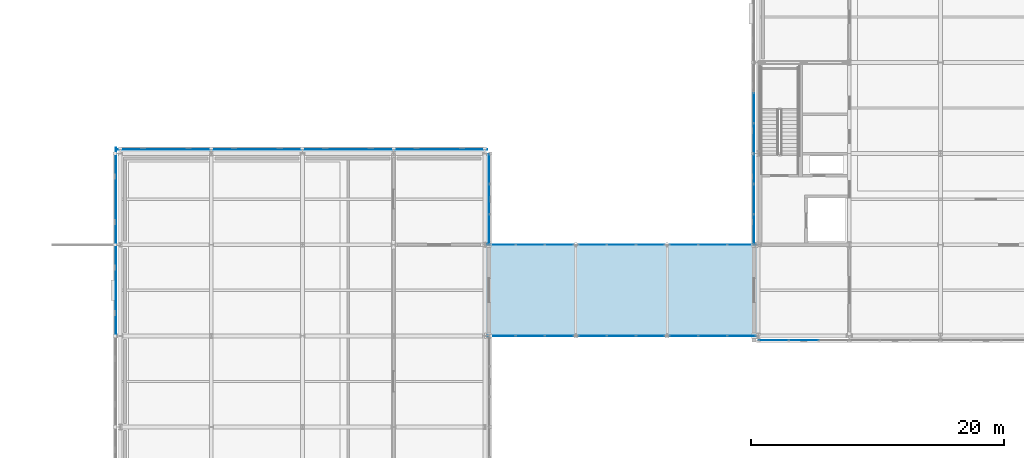
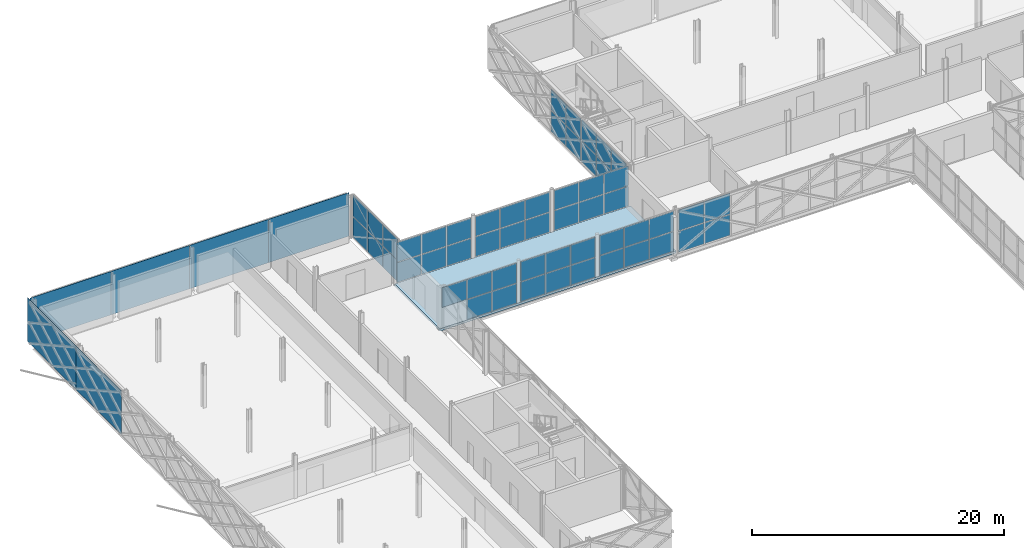
# One storey, part 92 of 146: 61 plates, 1 slab, 10 elements without a shape of their own.
"""IFC4 building model written with IfcOpenShell, lengths in metres."""

from ifc_helpers import new_model, si_unit, direction, frame, origin, origin_2d, place, context, subcontext, project, spatial, polyline, rectangle, outline, extrude, material, layer, layer_set, type_object, element, aggregate, save


model = new_model("IFC4")

# Units and contexts
model_context = context("Model", 3, precision=1e-05, world=origin(), true_north=direction((0.0, 1.0)))
body_context = subcontext(model_context, "Body", "Model", "MODEL_VIEW")
ifc_project = project(units=[si_unit("LENGTHUNIT", "METRE"), si_unit("AREAUNIT", "SQUARE_METRE"), si_unit("VOLUMEUNIT", "CUBIC_METRE"), si_unit("PLANEANGLEUNIT", "RADIAN"), si_unit("MASSUNIT", "GRAM", prefix="KILO")], contexts=[model_context])

# Site, building, storey
site_placement = place(None, origin())
site = spatial("IfcSite", under=ifc_project, at=site_placement, CompositionType="ELEMENT")
building_placement = place(site_placement, origin())
building = spatial("IfcBuilding", under=site, at=building_placement, Name="Zlatovets Crest Museum", CompositionType="ELEMENT")
storey_placement = place(building_placement, frame((0.0, 0.0, 4.5)))
storey = spatial("IfcBuildingStorey", under=building, at=storey_placement, Name="L01", CompositionType="ELEMENT", Elevation=4.5)

# Curtain wall, plates
ifc_material_1 = material(Name="Bronze-anodised aluminium and low-E triple glass", Category="aluminium")
curtain_wall_type_1 = type_object("IfcCurtainWallType", Name="CW_CW-BR3-L01-S69", PredefinedType="NOTDEFINED", material=ifc_material_1)
curtain_wall_1_placement = place(storey_placement, origin())
curtain_wall_1 = element("IfcCurtainWall", 1, at=curtain_wall_1_placement, inside=storey, type_object=curtain_wall_type_1, Name="Northwest Crest Glazed Link Bridge L01 Glazed Bridge Curtain Wall", PredefinedType="NOTDEFINED")
ifc_material_2 = material(Name="Solar-control low-E laminated triple glass", Category="glass")
ifc_layer_1 = layer(ifc_material_2, 0.030029296875)
ifc_layer_set_1 = layer_set([ifc_layer_1], Name="Solar-control low-E laminated triple glass")
plate_type_1 = type_object("IfcPlateType", Name="CWPanel_CW-BR3-L01-S69", PredefinedType="CURTAIN_PANEL", material=ifc_layer_set_1)
plate_1_placement = place(storey_placement, frame((37.31494140625, 86.39990234375, 2.02001953125), z_axis=(0.0, 0.0, 1.0), x_axis=(1.0, 0.0, 0.0)))
plate_1 = element("IfcPlate", 2, at=plate_1_placement, type_object=plate_type_1, Name="CW-BR3-L01-S69 panel 1.2", PredefinedType="CURTAIN_PANEL", context=body_context, shape_type="SweptSolid", body=[
    extrude(rectangle(XDim=2.2099609375, YDim=0.030029296875, at=origin_2d()), origin(), (0.0, 0.0, 1.0), 1.89990234375),
])
plate_2_placement = place(storey_placement, frame((39.60009765625, 86.39990234375, 0.06005859375), z_axis=(0.0, 0.0, 1.0), x_axis=(1.0, 0.0, 0.0)))
plate_2 = element("IfcPlate", 3, at=plate_2_placement, type_object=plate_type_1, Name="CW-BR3-L01-S69 panel 2.1", PredefinedType="CURTAIN_PANEL", context=body_context, shape_type="SweptSolid", body=[
    extrude(rectangle(XDim=2.239990234375, YDim=0.030029296875, at=origin_2d()), origin(), (0.0, 0.0, 1.0), 1.89990234375),
])
plate_3_placement = place(storey_placement, frame((39.60009765625, 86.39990234375, 2.02001953125), z_axis=(0.0, 0.0, 1.0), x_axis=(1.0, 0.0, 0.0)))
plate_3 = element("IfcPlate", 4, at=plate_3_placement, type_object=plate_type_1, Name="CW-BR3-L01-S69 panel 2.2", PredefinedType="CURTAIN_PANEL", context=body_context, shape_type="SweptSolid", body=[
    extrude(rectangle(XDim=2.239990234375, YDim=0.030029296875, at=origin_2d()), origin(), (0.0, 0.0, 1.0), 1.89990234375),
])
plate_4_placement = place(storey_placement, frame((41.885009765625, 86.39990234375, 0.06005859375), z_axis=(0.0, 0.0, 1.0), x_axis=(1.0, 0.0, 0.0)))
plate_4 = element("IfcPlate", 5, at=plate_4_placement, type_object=plate_type_1, Name="CW-BR3-L01-S69 panel 3.1", PredefinedType="CURTAIN_PANEL", context=body_context, shape_type="SweptSolid", body=[
    extrude(rectangle(XDim=2.2099609375, YDim=0.030029296875, at=origin_2d()), origin(), (0.0, 0.0, 1.0), 1.89990234375),
])
plate_5_placement = place(storey_placement, frame((41.885009765625, 86.39990234375, 2.02001953125), z_axis=(0.0, 0.0, 1.0), x_axis=(1.0, 0.0, 0.0)))
plate_5 = element("IfcPlate", 6, at=plate_5_placement, type_object=plate_type_1, Name="CW-BR3-L01-S69 panel 3.2", PredefinedType="CURTAIN_PANEL", context=body_context, shape_type="SweptSolid", body=[
    extrude(rectangle(XDim=2.2099609375, YDim=0.030029296875, at=origin_2d()), origin(), (0.0, 0.0, 1.0), 1.89990234375),
])
aggregate(curtain_wall_1, [plate_1, plate_2, plate_3, plate_4, plate_5])

curtain_wall_2_placement = place(storey_placement, origin())
curtain_wall_2 = element("IfcCurtainWall", 7, at=curtain_wall_2_placement, inside=storey, type_object=curtain_wall_type_1, Name="Northwest Crest Glazed Link Bridge L01 Glazed Bridge Curtain Wall", PredefinedType="NOTDEFINED")
plate_6_placement = place(storey_placement, frame((44.514892578125, 86.39990234375, 0.06005859375), z_axis=(0.0, 0.0, 1.0), x_axis=(1.0, 0.0, 0.0)))
plate_6 = element("IfcPlate", 8, at=plate_6_placement, type_object=plate_type_1, Name="CW-BR3-L01-S69 panel 1.1", PredefinedType="CURTAIN_PANEL", context=body_context, shape_type="SweptSolid", body=[
    extrude(rectangle(XDim=2.2099609375, YDim=0.030029296875, at=origin_2d()), origin(), (0.0, 0.0, 1.0), 1.89990234375),
])
plate_7_placement = place(storey_placement, frame((44.514892578125, 86.39990234375, 2.02001953125), z_axis=(0.0, 0.0, 1.0), x_axis=(1.0, 0.0, 0.0)))
plate_7 = element("IfcPlate", 9, at=plate_7_placement, type_object=plate_type_1, Name="CW-BR3-L01-S69 panel 1.2", PredefinedType="CURTAIN_PANEL", context=body_context, shape_type="SweptSolid", body=[
    extrude(rectangle(XDim=2.2099609375, YDim=0.030029296875, at=origin_2d()), origin(), (0.0, 0.0, 1.0), 1.89990234375),
])
plate_8_placement = place(storey_placement, frame((46.800048828125, 86.39990234375, 0.06005859375), z_axis=(0.0, 0.0, 1.0), x_axis=(1.0, 0.0, 0.0)))
plate_8 = element("IfcPlate", 10, at=plate_8_placement, type_object=plate_type_1, Name="CW-BR3-L01-S69 panel 2.1", PredefinedType="CURTAIN_PANEL", context=body_context, shape_type="SweptSolid", body=[
    extrude(rectangle(XDim=2.239990234375, YDim=0.030029296875, at=origin_2d()), origin(), (0.0, 0.0, 1.0), 1.89990234375),
])
plate_9_placement = place(storey_placement, frame((46.800048828125, 86.39990234375, 2.02001953125), z_axis=(0.0, 0.0, 1.0), x_axis=(1.0, 0.0, 0.0)))
plate_9 = element("IfcPlate", 11, at=plate_9_placement, type_object=plate_type_1, Name="CW-BR3-L01-S69 panel 2.2", PredefinedType="CURTAIN_PANEL", context=body_context, shape_type="SweptSolid", body=[
    extrude(rectangle(XDim=2.239990234375, YDim=0.030029296875, at=origin_2d()), origin(), (0.0, 0.0, 1.0), 1.89990234375),
])
plate_10_placement = place(storey_placement, frame((49.0849609375, 86.39990234375, 0.06005859375), z_axis=(0.0, 0.0, 1.0), x_axis=(1.0, 0.0, 0.0)))
plate_10 = element("IfcPlate", 12, at=plate_10_placement, type_object=plate_type_1, Name="CW-BR3-L01-S69 panel 3.1", PredefinedType="CURTAIN_PANEL", context=body_context, shape_type="SweptSolid", body=[
    extrude(rectangle(XDim=2.2099609375, YDim=0.030029296875, at=origin_2d()), origin(), (0.0, 0.0, 1.0), 1.89990234375),
])
plate_11_placement = place(storey_placement, frame((49.0849609375, 86.39990234375, 2.02001953125), z_axis=(0.0, 0.0, 1.0), x_axis=(1.0, 0.0, 0.0)))
plate_11 = element("IfcPlate", 13, at=plate_11_placement, type_object=plate_type_1, Name="CW-BR3-L01-S69 panel 3.2", PredefinedType="CURTAIN_PANEL", context=body_context, shape_type="SweptSolid", body=[
    extrude(rectangle(XDim=2.2099609375, YDim=0.030029296875, at=origin_2d()), origin(), (0.0, 0.0, 1.0), 1.89990234375),
])
aggregate(curtain_wall_2, [plate_6, plate_7, plate_8, plate_9, plate_10, plate_11])

curtain_wall_3_placement = place(storey_placement, origin())
curtain_wall_3 = element("IfcCurtainWall", 14, at=curtain_wall_3_placement, inside=storey, type_object=curtain_wall_type_1, Name="Northwest Crest Glazed Link Bridge L01 Glazed Bridge Curtain Wall", PredefinedType="NOTDEFINED")
plate_12_placement = place(storey_placement, frame((51.715087890625, 86.39990234375, 0.06005859375), z_axis=(0.0, 0.0, 1.0), x_axis=(1.0, 0.0, 0.0)))
plate_12 = element("IfcPlate", 15, at=plate_12_placement, type_object=plate_type_1, Name="CW-BR3-L01-S69 panel 1.1", PredefinedType="CURTAIN_PANEL", context=body_context, shape_type="SweptSolid", body=[
    extrude(rectangle(XDim=2.2099609375, YDim=0.030029296875, at=origin_2d()), origin(), (0.0, 0.0, 1.0), 1.89990234375),
])
plate_13_placement = place(storey_placement, frame((51.715087890625, 86.39990234375, 2.02001953125), z_axis=(0.0, 0.0, 1.0), x_axis=(1.0, 0.0, 0.0)))
plate_13 = element("IfcPlate", 16, at=plate_13_placement, type_object=plate_type_1, Name="CW-BR3-L01-S69 panel 1.2", PredefinedType="CURTAIN_PANEL", context=body_context, shape_type="SweptSolid", body=[
    extrude(rectangle(XDim=2.2099609375, YDim=0.030029296875, at=origin_2d()), origin(), (0.0, 0.0, 1.0), 1.89990234375),
])
plate_14_placement = place(storey_placement, frame((54.0, 86.39990234375, 0.06005859375), z_axis=(0.0, 0.0, 1.0), x_axis=(1.0, 0.0, 0.0)))
plate_14 = element("IfcPlate", 17, at=plate_14_placement, type_object=plate_type_1, Name="CW-BR3-L01-S69 panel 2.1", PredefinedType="CURTAIN_PANEL", context=body_context, shape_type="SweptSolid", body=[
    extrude(rectangle(XDim=2.239990234375, YDim=0.030029296875, at=origin_2d()), origin(), (0.0, 0.0, 1.0), 1.89990234375),
])
plate_15_placement = place(storey_placement, frame((54.0, 86.39990234375, 2.02001953125), z_axis=(0.0, 0.0, 1.0), x_axis=(1.0, 0.0, 0.0)))
plate_15 = element("IfcPlate", 18, at=plate_15_placement, type_object=plate_type_1, Name="CW-BR3-L01-S69 panel 2.2", PredefinedType="CURTAIN_PANEL", context=body_context, shape_type="SweptSolid", body=[
    extrude(rectangle(XDim=2.239990234375, YDim=0.030029296875, at=origin_2d()), origin(), (0.0, 0.0, 1.0), 1.89990234375),
])
plate_16_placement = place(storey_placement, frame((56.284912109375, 86.39990234375, 0.06005859375), z_axis=(0.0, 0.0, 1.0), x_axis=(1.0, 0.0, 0.0)))
plate_16 = element("IfcPlate", 19, at=plate_16_placement, type_object=plate_type_1, Name="CW-BR3-L01-S69 panel 3.1", PredefinedType="CURTAIN_PANEL", context=body_context, shape_type="SweptSolid", body=[
    extrude(rectangle(XDim=2.2099609375, YDim=0.030029296875, at=origin_2d()), origin(), (0.0, 0.0, 1.0), 1.89990234375),
])
plate_17_placement = place(storey_placement, frame((56.284912109375, 86.39990234375, 2.02001953125), z_axis=(0.0, 0.0, 1.0), x_axis=(1.0, 0.0, 0.0)))
plate_17 = element("IfcPlate", 20, at=plate_17_placement, type_object=plate_type_1, Name="CW-BR3-L01-S69 panel 3.2", PredefinedType="CURTAIN_PANEL", context=body_context, shape_type="SweptSolid", body=[
    extrude(rectangle(XDim=2.2099609375, YDim=0.030029296875, at=origin_2d()), origin(), (0.0, 0.0, 1.0), 1.89990234375),
])
aggregate(curtain_wall_3, [plate_12, plate_13, plate_14, plate_15, plate_16, plate_17])

curtain_wall_4_placement = place(storey_placement, origin())
curtain_wall_4 = element("IfcCurtainWall", 21, at=curtain_wall_4_placement, inside=storey, type_object=curtain_wall_type_1, Name="Northwest Crest Glazed Link Bridge L01 Glazed Bridge Curtain Wall", PredefinedType="NOTDEFINED")
plate_18_placement = place(storey_placement, frame((37.31494140625, 93.60009765625, 0.06005859375), z_axis=(0.0, 0.0, 1.0), x_axis=(1.0, 0.0, 0.0)))
plate_18 = element("IfcPlate", 22, at=plate_18_placement, type_object=plate_type_1, Name="CW-BR3-L01-S69 panel 1.1", PredefinedType="CURTAIN_PANEL", context=body_context, shape_type="SweptSolid", body=[
    extrude(rectangle(XDim=2.2099609375, YDim=0.030029296875, at=origin_2d()), origin(), (0.0, 0.0, 1.0), 1.89990234375),
])
plate_19_placement = place(storey_placement, frame((37.31494140625, 93.60009765625, 2.02001953125), z_axis=(0.0, 0.0, 1.0), x_axis=(1.0, 0.0, 0.0)))
plate_19 = element("IfcPlate", 23, at=plate_19_placement, type_object=plate_type_1, Name="CW-BR3-L01-S69 panel 1.2", PredefinedType="CURTAIN_PANEL", context=body_context, shape_type="SweptSolid", body=[
    extrude(rectangle(XDim=2.2099609375, YDim=0.030029296875, at=origin_2d()), origin(), (0.0, 0.0, 1.0), 1.89990234375),
])
plate_20_placement = place(storey_placement, frame((39.60009765625, 93.60009765625, 0.06005859375), z_axis=(0.0, 0.0, 1.0), x_axis=(1.0, 0.0, 0.0)))
plate_20 = element("IfcPlate", 24, at=plate_20_placement, type_object=plate_type_1, Name="CW-BR3-L01-S69 panel 2.1", PredefinedType="CURTAIN_PANEL", context=body_context, shape_type="SweptSolid", body=[
    extrude(rectangle(XDim=2.239990234375, YDim=0.030029296875, at=origin_2d()), origin(), (0.0, 0.0, 1.0), 1.89990234375),
])
plate_21_placement = place(storey_placement, frame((39.60009765625, 93.60009765625, 2.02001953125), z_axis=(0.0, 0.0, 1.0), x_axis=(1.0, 0.0, 0.0)))
plate_21 = element("IfcPlate", 25, at=plate_21_placement, type_object=plate_type_1, Name="CW-BR3-L01-S69 panel 2.2", PredefinedType="CURTAIN_PANEL", context=body_context, shape_type="SweptSolid", body=[
    extrude(rectangle(XDim=2.239990234375, YDim=0.030029296875, at=origin_2d()), origin(), (0.0, 0.0, 1.0), 1.89990234375),
])
plate_22_placement = place(storey_placement, frame((41.885009765625, 93.60009765625, 0.06005859375), z_axis=(0.0, 0.0, 1.0), x_axis=(1.0, 0.0, 0.0)))
plate_22 = element("IfcPlate", 26, at=plate_22_placement, type_object=plate_type_1, Name="CW-BR3-L01-S69 panel 3.1", PredefinedType="CURTAIN_PANEL", context=body_context, shape_type="SweptSolid", body=[
    extrude(rectangle(XDim=2.2099609375, YDim=0.030029296875, at=origin_2d()), origin(), (0.0, 0.0, 1.0), 1.89990234375),
])
plate_23_placement = place(storey_placement, frame((41.885009765625, 93.60009765625, 2.02001953125), z_axis=(0.0, 0.0, 1.0), x_axis=(1.0, 0.0, 0.0)))
plate_23 = element("IfcPlate", 27, at=plate_23_placement, type_object=plate_type_1, Name="CW-BR3-L01-S69 panel 3.2", PredefinedType="CURTAIN_PANEL", context=body_context, shape_type="SweptSolid", body=[
    extrude(rectangle(XDim=2.2099609375, YDim=0.030029296875, at=origin_2d()), origin(), (0.0, 0.0, 1.0), 1.89990234375),
])
aggregate(curtain_wall_4, [plate_18, plate_19, plate_20, plate_21, plate_22, plate_23])

curtain_wall_5_placement = place(storey_placement, origin())
curtain_wall_5 = element("IfcCurtainWall", 28, at=curtain_wall_5_placement, inside=storey, type_object=curtain_wall_type_1, Name="Northwest Crest Glazed Link Bridge L01 Glazed Bridge Curtain Wall", PredefinedType="NOTDEFINED")
plate_24_placement = place(storey_placement, frame((44.514892578125, 93.60009765625, 0.06005859375), z_axis=(0.0, 0.0, 1.0), x_axis=(1.0, 0.0, 0.0)))
plate_24 = element("IfcPlate", 29, at=plate_24_placement, type_object=plate_type_1, Name="CW-BR3-L01-S69 panel 1.1", PredefinedType="CURTAIN_PANEL", context=body_context, shape_type="SweptSolid", body=[
    extrude(rectangle(XDim=2.2099609375, YDim=0.030029296875, at=origin_2d()), origin(), (0.0, 0.0, 1.0), 1.89990234375),
])
plate_25_placement = place(storey_placement, frame((44.514892578125, 93.60009765625, 2.02001953125), z_axis=(0.0, 0.0, 1.0), x_axis=(1.0, 0.0, 0.0)))
plate_25 = element("IfcPlate", 30, at=plate_25_placement, type_object=plate_type_1, Name="CW-BR3-L01-S69 panel 1.2", PredefinedType="CURTAIN_PANEL", context=body_context, shape_type="SweptSolid", body=[
    extrude(rectangle(XDim=2.2099609375, YDim=0.030029296875, at=origin_2d()), origin(), (0.0, 0.0, 1.0), 1.89990234375),
])
plate_26_placement = place(storey_placement, frame((46.800048828125, 93.60009765625, 0.06005859375), z_axis=(0.0, 0.0, 1.0), x_axis=(1.0, 0.0, 0.0)))
plate_26 = element("IfcPlate", 31, at=plate_26_placement, type_object=plate_type_1, Name="CW-BR3-L01-S69 panel 2.1", PredefinedType="CURTAIN_PANEL", context=body_context, shape_type="SweptSolid", body=[
    extrude(rectangle(XDim=2.239990234375, YDim=0.030029296875, at=origin_2d()), origin(), (0.0, 0.0, 1.0), 1.89990234375),
])
plate_27_placement = place(storey_placement, frame((46.800048828125, 93.60009765625, 2.02001953125), z_axis=(0.0, 0.0, 1.0), x_axis=(1.0, 0.0, 0.0)))
plate_27 = element("IfcPlate", 32, at=plate_27_placement, type_object=plate_type_1, Name="CW-BR3-L01-S69 panel 2.2", PredefinedType="CURTAIN_PANEL", context=body_context, shape_type="SweptSolid", body=[
    extrude(rectangle(XDim=2.239990234375, YDim=0.030029296875, at=origin_2d()), origin(), (0.0, 0.0, 1.0), 1.89990234375),
])
plate_28_placement = place(storey_placement, frame((49.0849609375, 93.60009765625, 0.06005859375), z_axis=(0.0, 0.0, 1.0), x_axis=(1.0, 0.0, 0.0)))
plate_28 = element("IfcPlate", 33, at=plate_28_placement, type_object=plate_type_1, Name="CW-BR3-L01-S69 panel 3.1", PredefinedType="CURTAIN_PANEL", context=body_context, shape_type="SweptSolid", body=[
    extrude(rectangle(XDim=2.2099609375, YDim=0.030029296875, at=origin_2d()), origin(), (0.0, 0.0, 1.0), 1.89990234375),
])
plate_29_placement = place(storey_placement, frame((49.0849609375, 93.60009765625, 2.02001953125), z_axis=(0.0, 0.0, 1.0), x_axis=(1.0, 0.0, 0.0)))
plate_29 = element("IfcPlate", 34, at=plate_29_placement, type_object=plate_type_1, Name="CW-BR3-L01-S69 panel 3.2", PredefinedType="CURTAIN_PANEL", context=body_context, shape_type="SweptSolid", body=[
    extrude(rectangle(XDim=2.2099609375, YDim=0.030029296875, at=origin_2d()), origin(), (0.0, 0.0, 1.0), 1.89990234375),
])
aggregate(curtain_wall_5, [plate_24, plate_25, plate_26, plate_27, plate_28, plate_29])

curtain_wall_6_placement = place(storey_placement, origin())
curtain_wall_6 = element("IfcCurtainWall", 35, at=curtain_wall_6_placement, inside=storey, type_object=curtain_wall_type_1, Name="Northwest Crest Glazed Link Bridge L01 Glazed Bridge Curtain Wall", PredefinedType="NOTDEFINED")
plate_30_placement = place(storey_placement, frame((51.715087890625, 93.60009765625, 0.06005859375), z_axis=(0.0, 0.0, 1.0), x_axis=(1.0, 0.0, 0.0)))
plate_30 = element("IfcPlate", 36, at=plate_30_placement, type_object=plate_type_1, Name="CW-BR3-L01-S69 panel 1.1", PredefinedType="CURTAIN_PANEL", context=body_context, shape_type="SweptSolid", body=[
    extrude(rectangle(XDim=2.2099609375, YDim=0.030029296875, at=origin_2d()), origin(), (0.0, 0.0, 1.0), 1.89990234375),
])
plate_31_placement = place(storey_placement, frame((51.715087890625, 93.60009765625, 2.02001953125), z_axis=(0.0, 0.0, 1.0), x_axis=(1.0, 0.0, 0.0)))
plate_31 = element("IfcPlate", 37, at=plate_31_placement, type_object=plate_type_1, Name="CW-BR3-L01-S69 panel 1.2", PredefinedType="CURTAIN_PANEL", context=body_context, shape_type="SweptSolid", body=[
    extrude(rectangle(XDim=2.2099609375, YDim=0.030029296875, at=origin_2d()), origin(), (0.0, 0.0, 1.0), 1.89990234375),
])
plate_32_placement = place(storey_placement, frame((54.0, 93.60009765625, 0.06005859375), z_axis=(0.0, 0.0, 1.0), x_axis=(1.0, 0.0, 0.0)))
plate_32 = element("IfcPlate", 38, at=plate_32_placement, type_object=plate_type_1, Name="CW-BR3-L01-S69 panel 2.1", PredefinedType="CURTAIN_PANEL", context=body_context, shape_type="SweptSolid", body=[
    extrude(rectangle(XDim=2.239990234375, YDim=0.030029296875, at=origin_2d()), origin(), (0.0, 0.0, 1.0), 1.89990234375),
])
plate_33_placement = place(storey_placement, frame((54.0, 93.60009765625, 2.02001953125), z_axis=(0.0, 0.0, 1.0), x_axis=(1.0, 0.0, 0.0)))
plate_33 = element("IfcPlate", 39, at=plate_33_placement, type_object=plate_type_1, Name="CW-BR3-L01-S69 panel 2.2", PredefinedType="CURTAIN_PANEL", context=body_context, shape_type="SweptSolid", body=[
    extrude(rectangle(XDim=2.239990234375, YDim=0.030029296875, at=origin_2d()), origin(), (0.0, 0.0, 1.0), 1.89990234375),
])
plate_34_placement = place(storey_placement, frame((56.284912109375, 93.60009765625, 0.06005859375), z_axis=(0.0, 0.0, 1.0), x_axis=(1.0, 0.0, 0.0)))
plate_34 = element("IfcPlate", 40, at=plate_34_placement, type_object=plate_type_1, Name="CW-BR3-L01-S69 panel 3.1", PredefinedType="CURTAIN_PANEL", context=body_context, shape_type="SweptSolid", body=[
    extrude(rectangle(XDim=2.2099609375, YDim=0.030029296875, at=origin_2d()), origin(), (0.0, 0.0, 1.0), 1.89990234375),
])
plate_35_placement = place(storey_placement, frame((56.284912109375, 93.60009765625, 2.02001953125), z_axis=(0.0, 0.0, 1.0), x_axis=(1.0, 0.0, 0.0)))
plate_35 = element("IfcPlate", 41, at=plate_35_placement, type_object=plate_type_1, Name="CW-BR3-L01-S69 panel 3.2", PredefinedType="CURTAIN_PANEL", context=body_context, shape_type="SweptSolid", body=[
    extrude(rectangle(XDim=2.2099609375, YDim=0.030029296875, at=origin_2d()), origin(), (0.0, 0.0, 1.0), 1.89990234375),
])
aggregate(curtain_wall_6, [plate_30, plate_31, plate_32, plate_33, plate_34, plate_35])

curtain_wall_type_2 = type_object("IfcCurtainWallType", Name="CW_CW-V1-L01-M0", PredefinedType="NOTDEFINED", material=ifc_material_1)
curtain_wall_7_placement = place(storey_placement, origin())
curtain_wall_7 = element("IfcCurtainWall", 42, at=curtain_wall_7_placement, inside=storey, type_object=curtain_wall_type_2, Name="V1 L01 Secession Foyer Clear Curtain Wall", PredefinedType="NOTDEFINED")
ifc_layer_2 = layer(ifc_material_2, 0.028076171875)
ifc_layer_set_2 = layer_set([ifc_layer_2], Name="Solar-control low-E laminated triple glass")
plate_type_2 = type_object("IfcPlateType", Name="CWPanel_CW-V1-L01-M0", PredefinedType="CURTAIN_PANEL", material=ifc_layer_set_2)
plate_36_placement = place(storey_placement, frame((58.81494140625, 86.06005859375, 0.06005859375), z_axis=(0.0, 0.0, 1.0), x_axis=(1.0, 0.0, 0.0)))
plate_36 = element("IfcPlate", 43, at=plate_36_placement, type_object=plate_type_2, Name="CW-V1-L01-M0 panel 1.1", PredefinedType="CURTAIN_PANEL", context=body_context, shape_type="SweptSolid", body=[
    extrude(rectangle(XDim=2.31005859375, YDim=0.028076171875, at=origin_2d()), origin(), (0.0, 0.0, 1.0), 2.010009765625),
])
plate_37_placement = place(storey_placement, frame((58.81494140625, 86.06005859375, 2.1298828125), z_axis=(0.0, 0.0, 1.0), x_axis=(1.0, 0.0, 0.0)))
plate_37 = element("IfcPlate", 44, at=plate_37_placement, type_object=plate_type_2, Name="CW-V1-L01-M0 panel 1.2", PredefinedType="CURTAIN_PANEL", context=body_context, shape_type="SweptSolid", body=[
    extrude(rectangle(XDim=2.31005859375, YDim=0.028076171875, at=origin_2d()), origin(), (0.0, 0.0, 1.0), 2.010009765625),
])
plate_38_placement = place(storey_placement, frame((61.199951171875, 86.06005859375, 0.06005859375), z_axis=(0.0, 0.0, 1.0), x_axis=(1.0, 0.0, 0.0)))
plate_38 = element("IfcPlate", 45, at=plate_38_placement, type_object=plate_type_2, Name="CW-V1-L01-M0 panel 2.1", PredefinedType="CURTAIN_PANEL", context=body_context, shape_type="SweptSolid", body=[
    extrude(rectangle(XDim=2.340087890625, YDim=0.028076171875, at=origin_2d()), origin(), (0.0, 0.0, 1.0), 2.010009765625),
])
plate_39_placement = place(storey_placement, frame((61.199951171875, 86.06005859375, 2.1298828125), z_axis=(0.0, 0.0, 1.0), x_axis=(1.0, 0.0, 0.0)))
plate_39 = element("IfcPlate", 46, at=plate_39_placement, type_object=plate_type_2, Name="CW-V1-L01-M0 panel 2.2", PredefinedType="CURTAIN_PANEL", context=body_context, shape_type="SweptSolid", body=[
    extrude(rectangle(XDim=2.340087890625, YDim=0.028076171875, at=origin_2d()), origin(), (0.0, 0.0, 1.0), 2.010009765625),
])
aggregate(curtain_wall_7, [plate_36, plate_37, plate_38, plate_39])

curtain_wall_8_placement = place(storey_placement, origin())
curtain_wall_8 = element("IfcCurtainWall", 47, at=curtain_wall_8_placement, inside=storey, type_object=curtain_wall_type_2, Name="V1 L01 Expressed Core Glazed Facade", PredefinedType="NOTDEFINED")
plate_40_placement = place(storey_placement, frame((57.260009765625, 99.5849609375, 0.06005859375), z_axis=(0.0, 0.0, 1.0), x_axis=(0.0, -1.0, 0.0)))
plate_40 = element("IfcPlate", 48, at=plate_40_placement, type_object=plate_type_2, Name="CW-V1-L01-M0 panel 1.1", PredefinedType="CURTAIN_PANEL", context=body_context, shape_type="SweptSolid", body=[
    extrude(rectangle(XDim=2.31005859375, YDim=0.030029296875, at=origin_2d()), origin(), (0.0, 0.0, 1.0), 2.010009765625),
])
plate_41_placement = place(storey_placement, frame((57.260009765625, 99.5849609375, 2.1298828125), z_axis=(0.0, 0.0, 1.0), x_axis=(0.0, -1.0, 0.0)))
plate_41 = element("IfcPlate", 49, at=plate_41_placement, type_object=plate_type_2, Name="CW-V1-L01-M0 panel 1.2", PredefinedType="CURTAIN_PANEL", context=body_context, shape_type="SweptSolid", body=[
    extrude(rectangle(XDim=2.31005859375, YDim=0.030029296875, at=origin_2d()), origin(), (0.0, 0.0, 1.0), 2.010009765625),
])
plate_42_placement = place(storey_placement, frame((57.260009765625, 97.199951171875, 0.06005859375), z_axis=(0.0, 0.0, 1.0), x_axis=(0.0, -1.0, 0.0)))
plate_42 = element("IfcPlate", 50, at=plate_42_placement, type_object=plate_type_2, Name="CW-V1-L01-M0 panel 2.1", PredefinedType="CURTAIN_PANEL", context=body_context, shape_type="SweptSolid", body=[
    extrude(rectangle(XDim=2.340087890625, YDim=0.030029296875, at=origin_2d()), origin(), (0.0, 0.0, 1.0), 2.010009765625),
])
plate_43_placement = place(storey_placement, frame((57.260009765625, 97.199951171875, 2.1298828125), z_axis=(0.0, 0.0, 1.0), x_axis=(0.0, -1.0, 0.0)))
plate_43 = element("IfcPlate", 51, at=plate_43_placement, type_object=plate_type_2, Name="CW-V1-L01-M0 panel 2.2", PredefinedType="CURTAIN_PANEL", context=body_context, shape_type="SweptSolid", body=[
    extrude(rectangle(XDim=2.340087890625, YDim=0.030029296875, at=origin_2d()), origin(), (0.0, 0.0, 1.0), 2.010009765625),
])
plate_44_placement = place(storey_placement, frame((57.260009765625, 94.81494140625, 0.06005859375), z_axis=(0.0, 0.0, 1.0), x_axis=(0.0, -1.0, 0.0)))
plate_44 = element("IfcPlate", 52, at=plate_44_placement, type_object=plate_type_2, Name="CW-V1-L01-M0 panel 3.1", PredefinedType="CURTAIN_PANEL", context=body_context, shape_type="SweptSolid", body=[
    extrude(rectangle(XDim=2.31005859375, YDim=0.030029296875, at=origin_2d()), origin(), (0.0, 0.0, 1.0), 2.010009765625),
])
plate_45_placement = place(storey_placement, frame((57.260009765625, 94.81494140625, 2.1298828125), z_axis=(0.0, 0.0, 1.0), x_axis=(0.0, -1.0, 0.0)))
plate_45 = element("IfcPlate", 53, at=plate_45_placement, type_object=plate_type_2, Name="CW-V1-L01-M0 panel 3.2", PredefinedType="CURTAIN_PANEL", context=body_context, shape_type="SweptSolid", body=[
    extrude(rectangle(XDim=2.31005859375, YDim=0.030029296875, at=origin_2d()), origin(), (0.0, 0.0, 1.0), 2.010009765625),
])
aggregate(curtain_wall_8, [plate_40, plate_41, plate_42, plate_43, plate_44, plate_45])

curtain_wall_type_3 = type_object("IfcCurtainWallType", Name="CW_CW-V1-L01-M3", PredefinedType="NOTDEFINED", material=ifc_material_1)
curtain_wall_9_placement = place(storey_placement, origin())
curtain_wall_9 = element("IfcCurtainWall", 54, at=curtain_wall_9_placement, inside=storey, type_object=curtain_wall_type_3, Name="V1 L01 Expressed Core Glazed Facade", PredefinedType="NOTDEFINED")
ifc_layer_3 = layer(ifc_material_2, 0.030029296875)
ifc_layer_set_3 = layer_set([ifc_layer_3], Name="Solar-control low-E laminated triple glass")
plate_type_3 = type_object("IfcPlateType", Name="CWPanel_CW-V1-L01-M3", PredefinedType="CURTAIN_PANEL", material=ifc_layer_set_3)
plate_46_placement = place(storey_placement, frame((57.260009765625, 104.39990234375, 0.06005859375), z_axis=(0.0, 0.0, 1.0), x_axis=(0.0, -1.0, 0.0)))
plate_46 = element("IfcPlate", 55, at=plate_46_placement, type_object=plate_type_3, Name="CW-V1-L01-M3 panel 2.1", PredefinedType="CURTAIN_PANEL", context=body_context, shape_type="SweptSolid", body=[
    extrude(rectangle(XDim=2.340087890625, YDim=0.030029296875, at=origin_2d()), origin(), (0.0, 0.0, 1.0), 2.010009765625),
])
plate_47_placement = place(storey_placement, frame((57.260009765625, 104.39990234375, 2.1298828125), z_axis=(0.0, 0.0, 1.0), x_axis=(0.0, -1.0, 0.0)))
plate_47 = element("IfcPlate", 56, at=plate_47_placement, type_object=plate_type_3, Name="CW-V1-L01-M3 panel 2.2", PredefinedType="CURTAIN_PANEL", context=body_context, shape_type="SweptSolid", body=[
    extrude(rectangle(XDim=2.340087890625, YDim=0.030029296875, at=origin_2d()), origin(), (0.0, 0.0, 1.0), 2.010009765625),
])
plate_48_placement = place(storey_placement, frame((57.260009765625, 102.014892578125, 0.06005859375), z_axis=(0.0, 0.0, 1.0), x_axis=(0.0, -1.0, 0.0)))
plate_48 = element("IfcPlate", 57, at=plate_48_placement, type_object=plate_type_3, Name="CW-V1-L01-M3 panel 3.1", PredefinedType="CURTAIN_PANEL", context=body_context, shape_type="SweptSolid", body=[
    extrude(rectangle(XDim=2.31005859375, YDim=0.030029296875, at=origin_2d()), origin(), (0.0, 0.0, 1.0), 2.010009765625),
])
plate_49_placement = place(storey_placement, frame((57.260009765625, 102.014892578125, 2.1298828125), z_axis=(0.0, 0.0, 1.0), x_axis=(0.0, -1.0, 0.0)))
plate_49 = element("IfcPlate", 58, at=plate_49_placement, type_object=plate_type_3, Name="CW-V1-L01-M3 panel 3.2", PredefinedType="CURTAIN_PANEL", context=body_context, shape_type="SweptSolid", body=[
    extrude(rectangle(XDim=2.31005859375, YDim=0.030029296875, at=origin_2d()), origin(), (0.0, 0.0, 1.0), 2.010009765625),
])
aggregate(curtain_wall_9, [plate_46, plate_47, plate_48, plate_49])

curtain_wall_type_4 = type_object("IfcCurtainWallType", Name="CW_CW-V4-L01-M2", PredefinedType="NOTDEFINED", material=ifc_material_1)
curtain_wall_10_placement = place(storey_placement, origin())
curtain_wall_10 = element("IfcCurtainWall", 59, at=curtain_wall_10_placement, inside=storey, type_object=curtain_wall_type_4, Name="V4 L01 Secession Foyer Clear Curtain Wall", PredefinedType="NOTDEFINED")
ifc_layer_4 = layer(ifc_material_2, 0.030029296875)
ifc_layer_set_4 = layer_set([ifc_layer_4], Name="Solar-control low-E laminated triple glass")
plate_type_4 = type_object("IfcPlateType", Name="CWPanel_CW-V4-L01-M2", PredefinedType="CURTAIN_PANEL", material=ifc_layer_set_4)
plate_50_placement = place(storey_placement, frame((36.340087890625, 94.81494140625, 0.06005859375), z_axis=(0.0, 0.0, 1.0), x_axis=(0.0, 1.0, 0.0)))
plate_50 = element("IfcPlate", 60, at=plate_50_placement, type_object=plate_type_4, Name="CW-V4-L01-M2 panel 1.1", PredefinedType="CURTAIN_PANEL", context=body_context, shape_type="SweptSolid", body=[
    extrude(rectangle(XDim=2.31005859375, YDim=0.035888671875, at=origin_2d()), origin(), (0.0, 0.0, 1.0), 2.010009765625),
])
plate_51_placement = place(storey_placement, frame((36.340087890625, 94.81494140625, 2.1298828125), z_axis=(0.0, 0.0, 1.0), x_axis=(0.0, 1.0, 0.0)))
plate_51 = element("IfcPlate", 61, at=plate_51_placement, type_object=plate_type_4, Name="CW-V4-L01-M2 panel 1.2", PredefinedType="CURTAIN_PANEL", context=body_context, shape_type="SweptSolid", body=[
    extrude(rectangle(XDim=2.31005859375, YDim=0.035888671875, at=origin_2d()), origin(), (0.0, 0.0, 1.0), 2.010009765625),
])
plate_52_placement = place(storey_placement, frame((36.340087890625, 97.199951171875, 0.06005859375), z_axis=(0.0, 0.0, 1.0), x_axis=(0.0, 1.0, 0.0)))
plate_52 = element("IfcPlate", 62, at=plate_52_placement, type_object=plate_type_4, Name="CW-V4-L01-M2 panel 2.1", PredefinedType="CURTAIN_PANEL", context=body_context, shape_type="SweptSolid", body=[
    extrude(rectangle(XDim=2.340087890625, YDim=0.035888671875, at=origin_2d()), origin(), (0.0, 0.0, 1.0), 2.010009765625),
])
plate_53_placement = place(storey_placement, frame((36.340087890625, 97.199951171875, 2.1298828125), z_axis=(0.0, 0.0, 1.0), x_axis=(0.0, 1.0, 0.0)))
plate_53 = element("IfcPlate", 63, at=plate_53_placement, type_object=plate_type_4, Name="CW-V4-L01-M2 panel 2.2", PredefinedType="CURTAIN_PANEL", context=body_context, shape_type="SweptSolid", body=[
    extrude(rectangle(XDim=2.340087890625, YDim=0.035888671875, at=origin_2d()), origin(), (0.0, 0.0, 1.0), 2.010009765625),
])
plate_54_placement = place(storey_placement, frame((36.340087890625, 99.5849609375, 0.06005859375), z_axis=(0.0, 0.0, 1.0), x_axis=(0.0, 1.0, 0.0)))
plate_54 = element("IfcPlate", 64, at=plate_54_placement, type_object=plate_type_4, Name="CW-V4-L01-M2 panel 3.1", PredefinedType="CURTAIN_PANEL", context=body_context, shape_type="SweptSolid", body=[
    extrude(rectangle(XDim=2.31005859375, YDim=0.035888671875, at=origin_2d()), origin(), (0.0, 0.0, 1.0), 2.010009765625),
])
plate_55_placement = place(storey_placement, frame((36.340087890625, 99.5849609375, 2.1298828125), z_axis=(0.0, 0.0, 1.0), x_axis=(0.0, 1.0, 0.0)))
plate_55 = element("IfcPlate", 65, at=plate_55_placement, type_object=plate_type_4, Name="CW-V4-L01-M2 panel 3.2", PredefinedType="CURTAIN_PANEL", context=body_context, shape_type="SweptSolid", body=[
    extrude(rectangle(XDim=2.31005859375, YDim=0.035888671875, at=origin_2d()), origin(), (0.0, 0.0, 1.0), 2.010009765625),
])
aggregate(curtain_wall_10, [plate_50, plate_51, plate_52, plate_53, plate_54, plate_55])

# Plates
ifc_material_3 = material(Name="Ceramic-fritted low-E laminated architectural glass", Category="glass")
ifc_layer_5 = layer(ifc_material_3, 0.031982421875)
ifc_layer_set_5 = layer_set([ifc_layer_5], Name="Ceramic-fritted low-E laminated architectural glass")
plate_type_5 = type_object("IfcPlateType", Name="GlazedSpandrel_GSP1", PredefinedType="USERDEFINED", material=ifc_layer_set_5)
plate_56_placement = place(storey_placement, frame((32.5, 101.139892578125, 0.0), z_axis=(0.0, 0.0, 1.0), x_axis=(1.0, 0.0, 0.0)))
element("IfcPlate", 66, at=plate_56_placement, inside=storey, type_object=plate_type_5, Name="V4 L01 Ceramic-Fritted Gallery Glass Skin", ObjectType="GLAZED_SPANDREL", PredefinedType="USERDEFINED", context=body_context, shape_type="SweptSolid", body=[
    extrude(rectangle(XDim=7.39990234375, YDim=0.031982421875, at=origin_2d()), origin(), (0.0, 0.0, 1.0), 4.199951171875),
])
for number, where, z_axis, x_axis, name in (
    (67, (25.199951171875, 101.139892578125, 0.0), (0.0, 0.0, 1.0), (1.0, 0.0, 0.0), "V4 L01 Ceramic-Fritted Gallery Glass Skin"),
    (68, (18.0, 101.139892578125, 0.0), (0.0, 0.0, 1.0), (1.0, 0.0, 0.0), "V4 L01 Ceramic-Fritted Gallery Glass Skin"),
):
    element("IfcPlate", number, at=place(storey_placement, frame(where, z_axis=z_axis, x_axis=x_axis)), inside=storey, type_object=plate_type_5, Name=name, ObjectType="GLAZED_SPANDREL", PredefinedType="USERDEFINED", context=body_context, shape_type="SweptSolid", body=[
        extrude(rectangle(XDim=7.199951171875, YDim=0.031982421875, at=origin_2d()), origin(), (0.0, 0.0, 1.0), 4.199951171875),
    ])
plate_57_placement = place(storey_placement, frame((10.699951171875, 101.139892578125, 0.0), z_axis=(0.0, 0.0, 1.0), x_axis=(1.0, 0.0, 0.0)))
element("IfcPlate", 69, at=plate_57_placement, inside=storey, type_object=plate_type_5, Name="V4 L01 Ceramic-Fritted Gallery Glass Skin", ObjectType="GLAZED_SPANDREL", PredefinedType="USERDEFINED", context=body_context, shape_type="SweptSolid", body=[
    extrude(rectangle(XDim=7.39990234375, YDim=0.031982421875, at=origin_2d()), origin(), (0.0, 0.0, 1.0), 4.199951171875),
])
plate_58_placement = place(storey_placement, frame((6.860107421875, 97.43994140625, 0.0), z_axis=(0.0, 0.0, 1.0), x_axis=(0.0, 1.0, 0.0)))
element("IfcPlate", 70, at=plate_58_placement, inside=storey, type_object=plate_type_5, Name="V4 L01 Ceramic-Fritted Gallery Glass Skin", ObjectType="GLAZED_SPANDREL", PredefinedType="USERDEFINED", context=body_context, shape_type="SweptSolid", body=[
    extrude(rectangle(XDim=7.679931640625, YDim=0.031982421875, at=origin_2d()), origin(), (0.0, 0.0, 1.0), 4.199951171875),
])
plate_59_placement = place(storey_placement, frame((6.860107421875, 90.0, 0.0), z_axis=(0.0, 0.0, 1.0), x_axis=(0.0, 1.0, 0.0)))
element("IfcPlate", 71, at=plate_59_placement, inside=storey, type_object=plate_type_5, Name="V4 L01 Ceramic-Fritted Gallery Glass Skin", ObjectType="GLAZED_SPANDREL", PredefinedType="USERDEFINED", context=body_context, shape_type="SweptSolid", body=[
    extrude(rectangle(XDim=7.199951171875, YDim=0.031982421875, at=origin_2d()), origin(), (0.0, 0.0, 1.0), 4.199951171875),
])

# Slab
ifc_material_4 = material(Name="Concrete C30/37", Category="concrete")
ifc_layer_6 = layer(ifc_material_4, 0.219970703125)
ifc_layer_set_6 = layer_set([ifc_layer_6], Name="Concrete C30/37")
slab_type = type_object("IfcSlabType", Name="Slab_FS-02", PredefinedType="FLOOR", material=ifc_layer_set_6)
slab_placement = place(storey_placement, frame((0.0, 0.0, -0.219970703125)))
element("IfcSlab", 72, at=slab_placement, inside=storey, type_object=slab_type, Name="Northwest Crest Glazed Link Bridge L01 Deck Slab", PredefinedType="FLOOR", context=body_context, shape_type="SweptSolid", body=[
    extrude(outline(polyline([(57.60009765625, 86.39990234375), (57.60009765625, 93.60009765625), (36.0, 93.60009765625), (36.0, 86.39990234375), (57.60009765625, 86.39990234375)])), origin(), (0.0, 0.0, 1.0), 0.219970703125),
])

save(model, "model.ifc")
